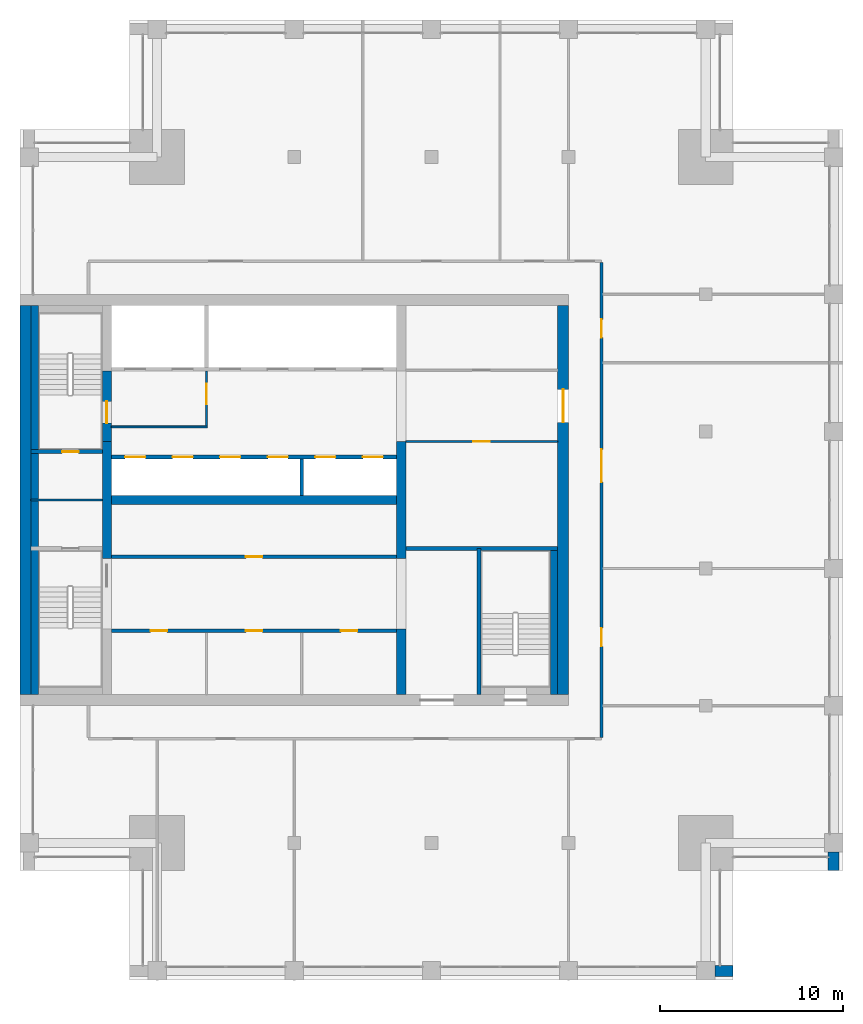
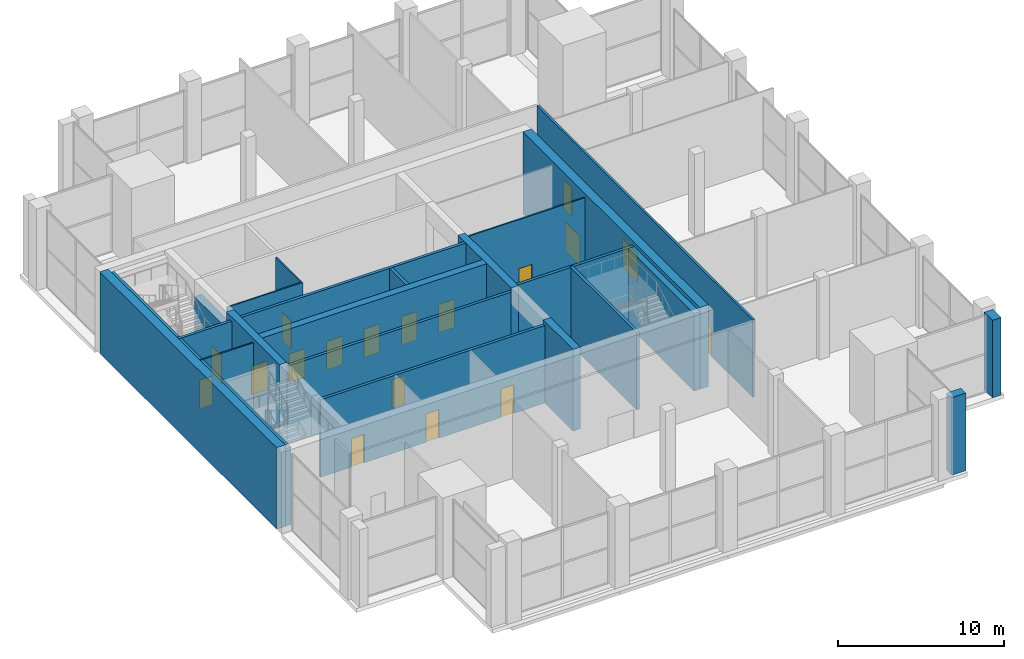
# One storey, part 9 of 15: 23 walls, 18 doors, 18 openings.
"""IFC4 building model written with IfcOpenShell, lengths in metres."""

from ifc_helpers import new_model, si_unit, direction, frame, frame_2d, origin, place, context, subcontext, project, spatial, rectangle, extrude, material, layer, layer_set, type_object, element, fill, save


model = new_model("IFC4")

# Units and contexts
model_context = context("Model", 3, precision=1e-05, world=origin(), true_north=direction((0.0, 1.0)))
body_context = subcontext(model_context, "Body", "Model", "MODEL_VIEW")
ifc_project = project(units=[si_unit("LENGTHUNIT", "METRE"), si_unit("AREAUNIT", "SQUARE_METRE"), si_unit("VOLUMEUNIT", "CUBIC_METRE"), si_unit("PLANEANGLEUNIT", "RADIAN"), si_unit("MASSUNIT", "GRAM", prefix="KILO")], contexts=[model_context])

# Site, building, storey
site_placement = place(None, origin())
site = spatial("IfcSite", under=ifc_project, at=site_placement, CompositionType="ELEMENT")
building_placement = place(site_placement, origin())
building = spatial("IfcBuilding", under=site, at=building_placement, Name="Tamorin Gate", CompositionType="ELEMENT")
storey_placement = place(building_placement, frame((0.0, 0.0, 302.699951171875)))
storey = spatial("IfcBuildingStorey", under=building, at=storey_placement, Name="L75", CompositionType="ELEMENT", Elevation=302.699951171875)

# Walls
ifc_material_1 = material(Name="Precast concrete C40/50", Category="concrete")
ifc_layer_1 = layer(ifc_material_1, 0.60009765625)
ifc_layer_set_1 = layer_set([ifc_layer_1], Name="Precast concrete C40/50")
wall_type_1 = type_object("IfcWallType", Name="Board-marked concrete facade panel 600", PredefinedType="SOLIDWALL", material=ifc_layer_set_1)
for number, where, z_axis, x_axis, name in (
    (1, (68.0, 45.5, 0.0), (0.0, 0.0, 1.0), (1.0, 0.0, 0.0), "Facade panel"),
    (2, (74.5, 51.0, 0.0), (0.0, 0.0, 1.0), (0.0, 1.0, 0.0), "Facade panel"),
):
    element("IfcWall", number, at=place(storey_placement, frame(where, z_axis=z_axis, x_axis=x_axis)), inside=storey, type_object=wall_type_1, Name=name, PredefinedType="SOLIDWALL", context=body_context, shape_type="SweptSolid", body=[
        extrude(rectangle(XDim=1.0, YDim=0.60009765625, at=frame_2d((0.5, 0.0))), origin(), (0.0, 0.0, 1.0), 5.699951171875),
    ])

# Wall, openings, doors
ifc_material_2 = material(Name="Gypsum board partition")
ifc_layer_2 = layer(ifc_material_2, 0.14990234375)
ifc_layer_set_2 = layer_set([ifc_layer_2], Name="Corridor wall 150")
wall_type_2 = type_object("IfcWallType", Name="Corridor wall 150", PredefinedType="PARTITIONING", material=ifc_layer_set_2)
wall_1_placement = place(storey_placement, frame((61.800048828125, 58.27490234375, 0.0), z_axis=(0.0, 0.0, 1.0), x_axis=(0.0, 1.0, 0.0)))
wall_1 = element("IfcWall", 3, at=wall_1_placement, inside=storey, type_object=wall_type_2, Name="Corridor wall 150", PredefinedType="PARTITIONING", context=body_context, shape_type="SweptSolid", body=[
    extrude(rectangle(XDim=25.9501953125, YDim=0.14990234375, at=frame_2d((12.97509765625, 0.0))), origin(), (0.0, 0.0, 1.0), 5.699951171875),
])
opening_1_placement = place(wall_1_placement, frame((4.97509765625, 0.0, 0.0)))
opening_1 = element("IfcOpeningElement", 4, at=opening_1_placement, cuts=wall_1, Name="Opening DOB1009", PredefinedType="OPENING", context=body_context, shape_type="SweptSolid", body=[
    extrude(rectangle(XDim=1.0, YDim=2.10009765625, at=frame_2d((0.5, 1.050048828125))), frame((0.0, 0.0849609375, 0.0), z_axis=(0.0, -1.0, 0.0), x_axis=(1.0, 0.0, 0.0)), (0.0, 0.0, 1.0), 0.169921875),
])
opening_2_placement = place(wall_1_placement, frame((13.949951171875, 0.0, 0.0)))
opening_2 = element("IfcOpeningElement", 5, at=opening_2_placement, cuts=wall_1, Name="Opening DOB1010", PredefinedType="OPENING", context=body_context, shape_type="SweptSolid", body=[
    extrude(rectangle(XDim=1.800048828125, YDim=2.10009765625, at=frame_2d((0.89990234375, 1.050048828125))), frame((0.0, 0.0849609375, 0.0), z_axis=(0.0, -1.0, 0.0), x_axis=(1.0, 0.0, 0.0)), (0.0, 0.0, 1.0), 0.169921875),
])
opening_3_placement = place(wall_1_placement, frame((21.85009765625, 0.0, 0.0)))
opening_3 = element("IfcOpeningElement", 6, at=opening_3_placement, cuts=wall_1, Name="Opening DOB1011", PredefinedType="OPENING", context=body_context, shape_type="SweptSolid", body=[
    extrude(rectangle(XDim=1.0, YDim=2.10009765625, at=frame_2d((0.5, 1.050048828125))), frame((0.0, 0.0849609375, 0.0), z_axis=(0.0, -1.0, 0.0), x_axis=(1.0, 0.0, 0.0)), (0.0, 0.0, 1.0), 0.169921875),
])
ifc_material_3 = material(Name="Timber door leaf", Category="wood")
door_type_1 = type_object("IfcDoorType", Name="Door 1000 x 2100 FD30S", OperationType="NOTDEFINED", PredefinedType="DOOR", material=ifc_material_3)
door_1_placement = place(opening_1_placement, origin())
door_1 = element("IfcDoor", 7, at=door_1_placement, inside=storey, type_object=door_type_1, Name="Door DOB1009", OperationType="SINGLE_SWING_RIGHT", OverallHeight=2.10009765625, OverallWidth=1.0, PredefinedType="DOOR", context=body_context, shape_type="SweptSolid", body=[
    extrude(rectangle(XDim=1.0, YDim=2.10009765625, at=frame_2d((0.5, 1.050048828125))), frame((0.0, 0.02490234375, 0.0), z_axis=(0.0, -1.0, 0.0), x_axis=(1.0, 0.0, 0.0)), (0.0, 0.0, 1.0), 0.050048828125),
])
fill(opening_1, door_1)
door_2_placement = place(opening_3_placement, origin())
door_2 = element("IfcDoor", 8, at=door_2_placement, inside=storey, type_object=door_type_1, Name="Door DOB1011", OperationType="SINGLE_SWING_RIGHT", OverallHeight=2.10009765625, OverallWidth=1.0, PredefinedType="DOOR", context=body_context, shape_type="SweptSolid", body=[
    extrude(rectangle(XDim=1.0, YDim=2.10009765625, at=frame_2d((0.5, 1.050048828125))), frame((0.0, 0.02490234375, 0.0), z_axis=(0.0, -1.0, 0.0), x_axis=(1.0, 0.0, 0.0)), (0.0, 0.0, 1.0), 0.050048828125),
])
fill(opening_3, door_2)
door_type_2 = type_object("IfcDoorType", Name="Door 1800 x 2100 FD30S", OperationType="DOUBLE_DOOR_SINGLE_SWING", PredefinedType="DOOR", material=ifc_material_3)
door_3_placement = place(opening_2_placement, origin())
door_3 = element("IfcDoor", 9, at=door_3_placement, inside=storey, type_object=door_type_2, Name="Door DOB1010", OperationType="DOUBLE_DOOR_SINGLE_SWING", OverallHeight=2.10009765625, OverallWidth=1.800048828125, PredefinedType="DOOR", context=body_context, shape_type="SweptSolid", body=[
    extrude(rectangle(XDim=1.800048828125, YDim=2.10009765625, at=frame_2d((0.89990234375, 1.050048828125))), frame((0.0, 0.02490234375, 0.0), z_axis=(0.0, -1.0, 0.0), x_axis=(1.0, 0.0, 0.0)), (0.0, 0.0, 1.0), 0.050048828125),
])
fill(opening_2, door_3)

ifc_material_4 = material(Name="Concrete C32/40", Category="concrete")
ifc_layer_3 = layer(ifc_material_4, 0.199951171875)
ifc_layer_set_3 = layer_set([ifc_layer_3], Name="Lift lobby face wall 200 EI 120")
wall_type_3 = type_object("IfcWallType", Name="Lift lobby face wall 200 EI 120", PredefinedType="SOLIDWALL", material=ifc_layer_set_3)
wall_2_placement = place(storey_placement, frame((35.0, 73.60009765625, 0.0), z_axis=(0.0, 0.0, 1.0), x_axis=(1.0, 0.0, 0.0)))
wall_2 = element("IfcWall", 10, at=wall_2_placement, inside=storey, type_object=wall_type_3, Name="Lift lobby face wall", PredefinedType="SOLIDWALL", context=body_context, shape_type="SweptSolid", body=[
    extrude(rectangle(XDim=15.60009765625, YDim=0.199951171875, at=frame_2d((7.800048828125, 0.0))), origin(), (0.0, 0.0, 1.0), 6.0),
])
opening_4_placement = place(wall_2_placement, frame((0.75, 0.0, 0.0)))
opening_4 = element("IfcOpeningElement", 11, at=opening_4_placement, cuts=wall_2, Name="Opening LD11", PredefinedType="OPENING", context=body_context, shape_type="SweptSolid", body=[
    extrude(rectangle(XDim=1.10009765625, YDim=2.10009765625, at=frame_2d((0.550048828125, 1.050048828125))), frame((0.0, 0.10986328125, 0.0), z_axis=(0.0, -1.0, 0.0), x_axis=(1.0, 0.0, 0.0)), (0.0, 0.0, 1.0), 0.219970703125),
])
opening_5_placement = place(wall_2_placement, frame((3.35009765625, 0.0, 0.0)))
opening_5 = element("IfcOpeningElement", 12, at=opening_5_placement, cuts=wall_2, Name="Opening LD12", PredefinedType="OPENING", context=body_context, shape_type="SweptSolid", body=[
    extrude(rectangle(XDim=1.10009765625, YDim=2.10009765625, at=frame_2d((0.550048828125, 1.050048828125))), frame((0.0, 0.10986328125, 0.0), z_axis=(0.0, -1.0, 0.0), x_axis=(1.0, 0.0, 0.0)), (0.0, 0.0, 1.0), 0.219970703125),
])
opening_6_placement = place(wall_2_placement, frame((5.949951171875, 0.0, 0.0)))
opening_6 = element("IfcOpeningElement", 13, at=opening_6_placement, cuts=wall_2, Name="Opening LD13", PredefinedType="OPENING", context=body_context, shape_type="SweptSolid", body=[
    extrude(rectangle(XDim=1.10009765625, YDim=2.10009765625, at=frame_2d((0.550048828125, 1.050048828125))), frame((0.0, 0.10986328125, 0.0), z_axis=(0.0, -1.0, 0.0), x_axis=(1.0, 0.0, 0.0)), (0.0, 0.0, 1.0), 0.219970703125),
])
opening_7_placement = place(wall_2_placement, frame((8.550048828125, 0.0, 0.0)))
opening_7 = element("IfcOpeningElement", 14, at=opening_7_placement, cuts=wall_2, Name="Opening LD14", PredefinedType="OPENING", context=body_context, shape_type="SweptSolid", body=[
    extrude(rectangle(XDim=1.10009765625, YDim=2.10009765625, at=frame_2d((0.550048828125, 1.050048828125))), frame((0.0, 0.10986328125, 0.0), z_axis=(0.0, -1.0, 0.0), x_axis=(1.0, 0.0, 0.0)), (0.0, 0.0, 1.0), 0.219970703125),
])
opening_8_placement = place(wall_2_placement, frame((11.14990234375, 0.0, 0.0)))
opening_8 = element("IfcOpeningElement", 15, at=opening_8_placement, cuts=wall_2, Name="Opening LD15", PredefinedType="OPENING", context=body_context, shape_type="SweptSolid", body=[
    extrude(rectangle(XDim=1.10009765625, YDim=2.10009765625, at=frame_2d((0.550048828125, 1.050048828125))), frame((0.0, 0.10986328125, 0.0), z_axis=(0.0, -1.0, 0.0), x_axis=(1.0, 0.0, 0.0)), (0.0, 0.0, 1.0), 0.219970703125),
])
opening_9_placement = place(wall_2_placement, frame((13.75, 0.0, 0.0)))
opening_9 = element("IfcOpeningElement", 16, at=opening_9_placement, cuts=wall_2, Name="Opening LD16", PredefinedType="OPENING", context=body_context, shape_type="SweptSolid", body=[
    extrude(rectangle(XDim=1.10009765625, YDim=2.10009765625, at=frame_2d((0.550048828125, 1.050048828125))), frame((0.0, 0.10986328125, 0.0), z_axis=(0.0, -1.0, 0.0), x_axis=(1.0, 0.0, 0.0)), (0.0, 0.0, 1.0), 0.219970703125),
])
ifc_material_5 = material(Name="Stainless steel sliding door", Category="steel")
door_type_3 = type_object("IfcDoorType", Name="Lift landing door 1100 x 2100 E 90", OperationType="DOUBLE_DOOR_SLIDING", PredefinedType="DOOR", material=ifc_material_5)
door_4_placement = place(opening_4_placement, origin())
door_4 = element("IfcDoor", 17, at=door_4_placement, inside=storey, type_object=door_type_3, Name="HR1 landing door", OperationType="DOUBLE_DOOR_SLIDING", OverallHeight=2.10009765625, OverallWidth=1.10009765625, PredefinedType="DOOR", context=body_context, shape_type="SweptSolid", body=[
    extrude(rectangle(XDim=1.10009765625, YDim=2.10009765625, at=frame_2d((0.550048828125, 1.050048828125))), frame((0.0, 0.02490234375, 0.0), z_axis=(0.0, -1.0, 0.0), x_axis=(1.0, 0.0, 0.0)), (0.0, 0.0, 1.0), 0.050048828125),
])
fill(opening_4, door_4)
door_5_placement = place(opening_5_placement, origin())
door_5 = element("IfcDoor", 18, at=door_5_placement, inside=storey, type_object=door_type_3, Name="HR2 landing door", OperationType="DOUBLE_DOOR_SLIDING", OverallHeight=2.10009765625, OverallWidth=1.10009765625, PredefinedType="DOOR", context=body_context, shape_type="SweptSolid", body=[
    extrude(rectangle(XDim=1.10009765625, YDim=2.10009765625, at=frame_2d((0.550048828125, 1.050048828125))), frame((0.0, 0.02490234375, 0.0), z_axis=(0.0, -1.0, 0.0), x_axis=(1.0, 0.0, 0.0)), (0.0, 0.0, 1.0), 0.050048828125),
])
fill(opening_5, door_5)
door_6_placement = place(opening_6_placement, origin())
door_6 = element("IfcDoor", 19, at=door_6_placement, inside=storey, type_object=door_type_3, Name="HR3 landing door", OperationType="DOUBLE_DOOR_SLIDING", OverallHeight=2.10009765625, OverallWidth=1.10009765625, PredefinedType="DOOR", context=body_context, shape_type="SweptSolid", body=[
    extrude(rectangle(XDim=1.10009765625, YDim=2.10009765625, at=frame_2d((0.550048828125, 1.050048828125))), frame((0.0, 0.02490234375, 0.0), z_axis=(0.0, -1.0, 0.0), x_axis=(1.0, 0.0, 0.0)), (0.0, 0.0, 1.0), 0.050048828125),
])
fill(opening_6, door_6)
door_7_placement = place(opening_7_placement, origin())
door_7 = element("IfcDoor", 20, at=door_7_placement, inside=storey, type_object=door_type_3, Name="HR4 landing door", OperationType="DOUBLE_DOOR_SLIDING", OverallHeight=2.10009765625, OverallWidth=1.10009765625, PredefinedType="DOOR", context=body_context, shape_type="SweptSolid", body=[
    extrude(rectangle(XDim=1.10009765625, YDim=2.10009765625, at=frame_2d((0.550048828125, 1.050048828125))), frame((0.0, 0.02490234375, 0.0), z_axis=(0.0, -1.0, 0.0), x_axis=(1.0, 0.0, 0.0)), (0.0, 0.0, 1.0), 0.050048828125),
])
fill(opening_7, door_7)
door_8_placement = place(opening_8_placement, origin())
door_8 = element("IfcDoor", 21, at=door_8_placement, inside=storey, type_object=door_type_3, Name="HR5 landing door", OperationType="DOUBLE_DOOR_SLIDING", OverallHeight=2.10009765625, OverallWidth=1.10009765625, PredefinedType="DOOR", context=body_context, shape_type="SweptSolid", body=[
    extrude(rectangle(XDim=1.10009765625, YDim=2.10009765625, at=frame_2d((0.550048828125, 1.050048828125))), frame((0.0, 0.02490234375, 0.0), z_axis=(0.0, -1.0, 0.0), x_axis=(1.0, 0.0, 0.0)), (0.0, 0.0, 1.0), 0.050048828125),
])
fill(opening_8, door_8)
door_9_placement = place(opening_9_placement, origin())
door_9 = element("IfcDoor", 22, at=door_9_placement, inside=storey, type_object=door_type_3, Name="HR6 landing door", OperationType="DOUBLE_DOOR_SLIDING", OverallHeight=2.10009765625, OverallWidth=1.10009765625, PredefinedType="DOOR", context=body_context, shape_type="SweptSolid", body=[
    extrude(rectangle(XDim=1.10009765625, YDim=2.10009765625, at=frame_2d((0.550048828125, 1.050048828125))), frame((0.0, 0.02490234375, 0.0), z_axis=(0.0, -1.0, 0.0), x_axis=(1.0, 0.0, 0.0)), (0.0, 0.0, 1.0), 0.050048828125),
])
fill(opening_9, door_9)

# Walls
ifc_layer_4 = layer(ifc_material_4, 0.199951171875)
ifc_layer_set_4 = layer_set([ifc_layer_4], Name="Lift shaft wall 200 EI 120")
wall_type_4 = type_object("IfcWallType", Name="Lift shaft wall 200 EI 120", PredefinedType="SOLIDWALL", material=ifc_layer_set_4)
wall_3_placement = place(storey_placement, frame((45.39990234375, 71.5, 0.0), z_axis=(0.0, 0.0, 1.0), x_axis=(0.0, 1.0, 0.0)))
element("IfcWall", 23, at=wall_3_placement, inside=storey, type_object=wall_type_4, Name="Lift shaft wall", PredefinedType="SOLIDWALL", context=body_context, shape_type="SweptSolid", body=[
    extrude(rectangle(XDim=2.0, YDim=0.199951171875, at=frame_2d((1.0, 0.0))), origin(), (0.0, 0.0, 1.0), 6.0),
])
ifc_material_6 = material(Name="Fire-rated gypsum board partition")
ifc_layer_5 = layer(ifc_material_6, 0.10009765625)
ifc_layer_set_5 = layer_set([ifc_layer_5], Name="Lobby wall 100 EI 60")
wall_type_5 = type_object("IfcWallType", Name="Lobby wall 100 EI 60", PredefinedType="PARTITIONING", material=ifc_layer_set_5)
wall_4_placement = place(storey_placement, frame((35.0, 75.25, 0.0), z_axis=(0.0, 0.0, 1.0), x_axis=(1.0, 0.0, 0.0)))
element("IfcWall", 24, at=wall_4_placement, inside=storey, type_object=wall_type_5, Name="Firefighting lobby wall", PredefinedType="PARTITIONING", context=body_context, shape_type="SweptSolid", body=[
    extrude(rectangle(XDim=5.25, YDim=0.10009765625, at=frame_2d((2.625, 0.0))), origin(), (0.0, 0.0, 1.0), 5.699951171875),
])

# Wall, opening, door
wall_5_placement = place(storey_placement, frame((40.199951171875, 75.300048828125, 0.0), z_axis=(0.0, 0.0, 1.0), x_axis=(0.0, 1.0, 0.0)))
wall_5 = element("IfcWall", 25, at=wall_5_placement, inside=storey, type_object=wall_type_5, Name="Firefighting lobby wall", PredefinedType="PARTITIONING", context=body_context, shape_type="SweptSolid", body=[
    extrude(rectangle(XDim=3.0, YDim=0.10009765625, at=frame_2d((1.5, 0.0))), origin(), (0.0, 0.0, 1.0), 5.699951171875),
])
opening_10_placement = place(wall_5_placement, frame((1.199951171875, 0.0, 0.0)))
opening_10 = element("IfcOpeningElement", 26, at=opening_10_placement, cuts=wall_5, Name="Opening DF1", PredefinedType="OPENING", context=body_context, shape_type="SweptSolid", body=[
    extrude(rectangle(XDim=1.10009765625, YDim=2.10009765625, at=frame_2d((0.550048828125, 1.050048828125))), frame((0.0, 0.06005859375, 0.0), z_axis=(0.0, -1.0, 0.0), x_axis=(1.0, 0.0, 0.0)), (0.0, 0.0, 1.0), 0.1201171875),
])
ifc_material_7 = material(Name="Steel fire door", Category="steel")
door_type_4 = type_object("IfcDoorType", Name="Firefighting lobby door 1100 x 2100 EI 90", OperationType="SINGLE_SWING_LEFT", PredefinedType="DOOR", material=ifc_material_7)
door_10_placement = place(opening_10_placement, origin())
door_10 = element("IfcDoor", 27, at=door_10_placement, inside=storey, type_object=door_type_4, Name="Firefighting lobby door", OperationType="SINGLE_SWING_LEFT", OverallHeight=2.10009765625, OverallWidth=1.10009765625, PredefinedType="DOOR", context=body_context, shape_type="SweptSolid", body=[
    extrude(rectangle(XDim=1.10009765625, YDim=2.10009765625, at=frame_2d((0.550048828125, 1.050048828125))), frame((0.0, 0.02490234375, 0.0), z_axis=(0.0, -1.0, 0.0), x_axis=(1.0, 0.0, 0.0)), (0.0, 0.0, 1.0), 0.050048828125),
])
fill(opening_10, door_10)

# Walls
ifc_material_8 = material(Name="Concrete C50/60", Category="concrete")
ifc_layer_6 = layer(ifc_material_8, 0.5)
ifc_layer_set_6 = layer_set([ifc_layer_6], Name="RC core internal wall 500 C50/60")
wall_type_6 = type_object("IfcWallType", Name="RC core internal wall 500 C50/60", PredefinedType="SHEAR", material=ifc_layer_set_6)
wall_6_placement = place(storey_placement, frame((35.0, 71.25, 0.0), z_axis=(0.0, 0.0, 1.0), x_axis=(1.0, 0.0, 0.0)))
element("IfcWall", 28, at=wall_6_placement, inside=storey, type_object=wall_type_6, Name="Core spine wall L75", PredefinedType="SHEAR", context=body_context, shape_type="SweptSolid", body=[
    extrude(rectangle(XDim=15.60009765625, YDim=0.5, at=frame_2d((7.800048828125, 0.0))), origin(), (0.0, 0.0, 1.0), 6.0),
])
wall_7_placement = place(storey_placement, frame((34.75, 68.050048828125, 0.0), z_axis=(0.0, 0.0, 1.0), x_axis=(0.0, 1.0, 0.0)))
element("IfcWall", 29, at=wall_7_placement, inside=storey, type_object=wall_type_6, Name="Core cross wall L75", PredefinedType="SHEAR", context=body_context, shape_type="SweptSolid", body=[
    extrude(rectangle(XDim=6.39990234375, YDim=0.5, at=frame_2d((3.199951171875, 0.0))), origin(), (0.0, 0.0, 1.0), 6.0),
])
wall_8_placement = place(storey_placement, frame((50.85009765625, 60.60009765625, 0.0), z_axis=(0.0, 0.0, 1.0), x_axis=(0.0, 1.0, 0.0)))
element("IfcWall", 30, at=wall_8_placement, inside=storey, type_object=wall_type_6, Name="Core cross wall L75", PredefinedType="SHEAR", context=body_context, shape_type="SweptSolid", body=[
    extrude(rectangle(XDim=3.599853515625, YDim=0.5, at=frame_2d((1.7998046875, 0.0))), origin(), (0.0, 0.0, 1.0), 6.0),
])
wall_9_placement = place(storey_placement, frame((50.85009765625, 68.050048828125, 0.0), z_axis=(0.0, 0.0, 1.0), x_axis=(0.0, 1.0, 0.0)))
element("IfcWall", 31, at=wall_9_placement, inside=storey, type_object=wall_type_6, Name="Core cross wall L75", PredefinedType="SHEAR", context=body_context, shape_type="SweptSolid", body=[
    extrude(rectangle(XDim=6.39990234375, YDim=0.5, at=frame_2d((3.199951171875, 0.0))), origin(), (0.0, 0.0, 1.0), 6.0),
])
ifc_layer_7 = layer(ifc_material_8, 0.60009765625)
ifc_layer_set_7 = layer_set([ifc_layer_7], Name="RC core wall 600 C50/60")
wall_type_7 = type_object("IfcWallType", Name="RC core wall 600 C50/60", PredefinedType="SHEAR", material=ifc_layer_set_7)
wall_10_placement = place(storey_placement, frame((30.300048828125, 60.60009765625, 0.0), z_axis=(0.0, 0.0, 1.0), x_axis=(0.0, 1.0, 0.0)))
element("IfcWall", 32, at=wall_10_placement, inside=storey, type_object=wall_type_7, Name="Core wall L75", PredefinedType="SHEAR", context=body_context, shape_type="SweptSolid", body=[
    extrude(rectangle(XDim=21.2998046875, YDim=0.60009765625, at=frame_2d((10.64990234375, 0.0))), origin(), (0.0, 0.0, 1.0), 6.0),
])

# Wall, opening, door
wall_11_placement = place(storey_placement, frame((59.699951171875, 60.60009765625, 0.0), z_axis=(0.0, 0.0, 1.0), x_axis=(0.0, 1.0, 0.0)))
wall_11 = element("IfcWall", 33, at=wall_11_placement, inside=storey, type_object=wall_type_7, Name="Core wall L75", PredefinedType="SHEAR", context=body_context, shape_type="SweptSolid", body=[
    extrude(rectangle(XDim=21.2998046875, YDim=0.60009765625, at=frame_2d((10.64990234375, 0.0))), origin(), (0.0, 0.0, 1.0), 6.0),
])
opening_11_placement = place(wall_11_placement, frame((14.89990234375, 0.0, 0.0)))
opening_11 = element("IfcOpeningElement", 34, at=opening_11_placement, cuts=wall_11, Name="Opening DE1", PredefinedType="OPENING", context=body_context, shape_type="SweptSolid", body=[
    extrude(rectangle(XDim=1.800048828125, YDim=2.10009765625, at=frame_2d((0.89990234375, 1.050048828125))), frame((0.0, 0.31005859375, 0.0), z_axis=(0.0, -1.0, 0.0), x_axis=(1.0, 0.0, 0.0)), (0.0, 0.0, 1.0), 0.6201171875),
])
door_type_5 = type_object("IfcDoorType", Name="Lobby exit double door 1800 x 2100 EI 60", OperationType="DOUBLE_DOOR_SINGLE_SWING", PredefinedType="DOOR", material=ifc_material_7)
door_11_placement = place(opening_11_placement, origin())
door_11 = element("IfcDoor", 35, at=door_11_placement, inside=storey, type_object=door_type_5, Name="Lift lobby B exit door", OperationType="DOUBLE_DOOR_SINGLE_SWING", OverallHeight=2.10009765625, OverallWidth=1.800048828125, PredefinedType="DOOR", context=body_context, shape_type="SweptSolid", body=[
    extrude(rectangle(XDim=1.800048828125, YDim=2.10009765625, at=frame_2d((0.89990234375, 1.050048828125))), frame((0.0, 0.02490234375, 0.0), z_axis=(0.0, -1.0, 0.0), x_axis=(1.0, 0.0, 0.0)), (0.0, 0.0, 1.0), 0.050048828125),
])
fill(opening_11, door_11)

# Wall
ifc_layer_8 = layer(ifc_material_6, 0.10009765625)
ifc_layer_set_8 = layer_set([ifc_layer_8], Name="Riser partition 100 EI 120")
wall_type_8 = type_object("IfcWallType", Name="Riser partition 100 EI 120", PredefinedType="PARTITIONING", material=ifc_layer_set_8)
wall_12_placement = place(storey_placement, frame((30.60009765625, 71.25, 0.0), z_axis=(0.0, 0.0, 1.0), x_axis=(1.0, 0.0, 0.0)))
element("IfcWall", 36, at=wall_12_placement, inside=storey, type_object=wall_type_8, Name="Riser partition", PredefinedType="PARTITIONING", context=body_context, shape_type="SweptSolid", body=[
    extrude(rectangle(XDim=3.89990234375, YDim=0.10009765625, at=frame_2d((1.949951171875, 0.0))), origin(), (0.0, 0.0, 1.0), 5.699951171875),
])

# Wall, openings, doors
ifc_layer_9 = layer(ifc_material_2, 0.199951171875)
ifc_layer_set_9 = layer_set([ifc_layer_9], Name="Service room face wall 200 EI 60")
wall_type_9 = type_object("IfcWallType", Name="Service room face wall 200 EI 60", PredefinedType="PARTITIONING", material=ifc_layer_set_9)
wall_13_placement = place(storey_placement, frame((35.0, 64.10009765625, 0.0), z_axis=(0.0, 0.0, 1.0), x_axis=(1.0, 0.0, 0.0)))
wall_13 = element("IfcWall", 37, at=wall_13_placement, inside=storey, type_object=wall_type_9, Name="Service room face wall", PredefinedType="PARTITIONING", context=body_context, shape_type="SweptSolid", body=[
    extrude(rectangle(XDim=15.60009765625, YDim=0.199951171875, at=frame_2d((7.800048828125, 0.0))), origin(), (0.0, 0.0, 1.0), 5.699951171875),
])
opening_12_placement = place(wall_13_placement, frame((2.14990234375, 0.0, 0.0)))
opening_12 = element("IfcOpeningElement", 38, at=opening_12_placement, cuts=wall_13, Name="Opening DK1", PredefinedType="OPENING", context=body_context, shape_type="SweptSolid", body=[
    extrude(rectangle(XDim=0.89990234375, YDim=2.10009765625, at=frame_2d((0.449951171875, 1.050048828125))), frame((0.0, 0.10986328125, 0.0), z_axis=(0.0, -1.0, 0.0), x_axis=(1.0, 0.0, 0.0)), (0.0, 0.0, 1.0), 0.219970703125),
])
opening_13_placement = place(wall_13_placement, frame((7.35009765625, 0.0, 0.0)))
opening_13 = element("IfcOpeningElement", 39, at=opening_13_placement, cuts=wall_13, Name="Opening DK1", PredefinedType="OPENING", context=body_context, shape_type="SweptSolid", body=[
    extrude(rectangle(XDim=0.89990234375, YDim=2.10009765625, at=frame_2d((0.449951171875, 1.050048828125))), frame((0.0, 0.10986328125, 0.0), z_axis=(0.0, -1.0, 0.0), x_axis=(1.0, 0.0, 0.0)), (0.0, 0.0, 1.0), 0.219970703125),
])
opening_14_placement = place(wall_13_placement, frame((12.550048828125, 0.0, 0.0)))
opening_14 = element("IfcOpeningElement", 40, at=opening_14_placement, cuts=wall_13, Name="Opening DK1", PredefinedType="OPENING", context=body_context, shape_type="SweptSolid", body=[
    extrude(rectangle(XDim=0.89990234375, YDim=2.10009765625, at=frame_2d((0.449951171875, 1.050048828125))), frame((0.0, 0.10986328125, 0.0), z_axis=(0.0, -1.0, 0.0), x_axis=(1.0, 0.0, 0.0)), (0.0, 0.0, 1.0), 0.219970703125),
])
ifc_material_9 = material(Name="Timber fire door", Category="wood")
door_type_6 = type_object("IfcDoorType", Name="Service room door 900 x 2100 EI 60", OperationType="SINGLE_SWING_LEFT", PredefinedType="DOOR", material=ifc_material_9)
door_12_placement = place(opening_12_placement, origin())
door_12 = element("IfcDoor", 41, at=door_12_placement, inside=storey, type_object=door_type_6, Name="Door Linen store", OperationType="SINGLE_SWING_LEFT", OverallHeight=2.10009765625, OverallWidth=0.89990234375, PredefinedType="DOOR", context=body_context, shape_type="SweptSolid", body=[
    extrude(rectangle(XDim=0.89990234375, YDim=2.10009765625, at=frame_2d((0.449951171875, 1.050048828125))), frame((0.0, 0.02490234375, 0.0), z_axis=(0.0, -1.0, 0.0), x_axis=(1.0, 0.0, 0.0)), (0.0, 0.0, 1.0), 0.050048828125),
])
fill(opening_12, door_12)
door_13_placement = place(opening_13_placement, origin())
door_13 = element("IfcDoor", 42, at=door_13_placement, inside=storey, type_object=door_type_6, Name="Door Club store", OperationType="SINGLE_SWING_RIGHT", OverallHeight=2.10009765625, OverallWidth=0.89990234375, PredefinedType="DOOR", context=body_context, shape_type="SweptSolid", body=[
    extrude(rectangle(XDim=0.89990234375, YDim=2.10009765625, at=frame_2d((0.449951171875, 1.050048828125))), frame((0.0, 0.02490234375, 0.0), z_axis=(0.0, -1.0, 0.0), x_axis=(1.0, 0.0, 0.0)), (0.0, 0.0, 1.0), 0.050048828125),
])
fill(opening_13, door_13)
door_14_placement = place(opening_14_placement, origin())
door_14 = element("IfcDoor", 43, at=door_14_placement, inside=storey, type_object=door_type_6, Name="Door Wine store", OperationType="SINGLE_SWING_LEFT", OverallHeight=2.10009765625, OverallWidth=0.89990234375, PredefinedType="DOOR", context=body_context, shape_type="SweptSolid", body=[
    extrude(rectangle(XDim=0.89990234375, YDim=2.10009765625, at=frame_2d((0.449951171875, 1.050048828125))), frame((0.0, 0.02490234375, 0.0), z_axis=(0.0, -1.0, 0.0), x_axis=(1.0, 0.0, 0.0)), (0.0, 0.0, 1.0), 0.050048828125),
])
fill(opening_14, door_14)

# Wall, opening, door
wall_14_placement = place(storey_placement, frame((35.0, 68.14990234375, 0.0), z_axis=(0.0, 0.0, 1.0), x_axis=(1.0, 0.0, 0.0)))
wall_14 = element("IfcWall", 44, at=wall_14_placement, inside=storey, type_object=wall_type_9, Name="Service room face wall", PredefinedType="PARTITIONING", context=body_context, shape_type="SweptSolid", body=[
    extrude(rectangle(XDim=15.60009765625, YDim=0.199951171875, at=frame_2d((7.800048828125, 0.0))), origin(), (0.0, 0.0, 1.0), 5.699951171875),
])
opening_15_placement = place(wall_14_placement, frame((7.35009765625, 0.0, 0.0)))
opening_15 = element("IfcOpeningElement", 45, at=opening_15_placement, cuts=wall_14, Name="Opening DK1", PredefinedType="OPENING", context=body_context, shape_type="SweptSolid", body=[
    extrude(rectangle(XDim=0.89990234375, YDim=2.10009765625, at=frame_2d((0.449951171875, 1.050048828125))), frame((0.0, 0.10986328125, 0.0), z_axis=(0.0, -1.0, 0.0), x_axis=(1.0, 0.0, 0.0)), (0.0, 0.0, 1.0), 0.219970703125),
])
door_15_placement = place(opening_15_placement, origin())
door_15 = element("IfcDoor", 46, at=door_15_placement, inside=storey, type_object=door_type_6, Name="Door Housekeeping and maintenance store", OperationType="SINGLE_SWING_LEFT", OverallHeight=2.10009765625, OverallWidth=0.89990234375, PredefinedType="DOOR", context=body_context, shape_type="SweptSolid", body=[
    extrude(rectangle(XDim=0.89990234375, YDim=2.10009765625, at=frame_2d((0.449951171875, 1.050048828125))), frame((0.0, 0.02490234375, 0.0), z_axis=(0.0, -1.0, 0.0), x_axis=(1.0, 0.0, 0.0)), (0.0, 0.0, 1.0), 0.050048828125),
])
fill(opening_15, door_15)

ifc_layer_10 = layer(ifc_material_2, 0.10009765625)
ifc_layer_set_10 = layer_set([ifc_layer_10], Name="Service room partition 100 EI 60")
wall_type_10 = type_object("IfcWallType", Name="Service room partition 100 EI 60", PredefinedType="PARTITIONING", material=ifc_layer_set_10)
wall_15_placement = place(storey_placement, frame((51.10009765625, 74.449951171875, 0.0), z_axis=(0.0, 0.0, 1.0), x_axis=(1.0, 0.0, 0.0)))
wall_15 = element("IfcWall", 47, at=wall_15_placement, inside=storey, type_object=wall_type_10, Name="Service room wall", PredefinedType="PARTITIONING", context=body_context, shape_type="SweptSolid", body=[
    extrude(rectangle(XDim=8.2998046875, YDim=0.10009765625, at=frame_2d((4.14990234375, 0.0))), origin(), (0.0, 0.0, 1.0), 5.699951171875),
])
opening_16_placement = place(wall_15_placement, frame((3.699951171875, 0.0, 0.0)))
opening_16 = element("IfcOpeningElement", 48, at=opening_16_placement, cuts=wall_15, Name="Opening DR1", PredefinedType="OPENING", context=body_context, shape_type="SweptSolid", body=[
    extrude(rectangle(XDim=0.89990234375, YDim=2.10009765625, at=frame_2d((0.449951171875, 1.050048828125))), frame((0.0, 0.06005859375, 0.0), z_axis=(0.0, -1.0, 0.0), x_axis=(1.0, 0.0, 0.0)), (0.0, 0.0, 1.0), 0.1201171875),
])
door_type_7 = type_object("IfcDoorType", Name="Riser access door 900 x 2100 EI 120", OperationType="SINGLE_SWING_LEFT", PredefinedType="DOOR", material=ifc_material_7)
door_16_placement = place(opening_16_placement, origin())
door_16 = element("IfcDoor", 49, at=door_16_placement, inside=storey, type_object=door_type_7, Name="Duct riser door", OperationType="SINGLE_SWING_LEFT", OverallHeight=2.10009765625, OverallWidth=0.89990234375, PredefinedType="DOOR", context=body_context, shape_type="SweptSolid", body=[
    extrude(rectangle(XDim=0.89990234375, YDim=2.10009765625, at=frame_2d((0.449951171875, 1.050048828125))), frame((0.0, 0.02490234375, 0.0), z_axis=(0.0, -1.0, 0.0), x_axis=(1.0, 0.0, 0.0)), (0.0, 0.0, 1.0), 0.050048828125),
])
fill(opening_16, door_16)

ifc_material_10 = material(Name="Concrete C40/50", Category="concrete")
ifc_layer_11 = layer(ifc_material_10, 0.199951171875)
ifc_layer_set_11 = layer_set([ifc_layer_11], Name="Stair enclosure wall 200 EI 120 C40/50")
wall_type_11 = type_object("IfcWallType", Name="Stair enclosure wall 200 EI 120 C40/50", PredefinedType="SOLIDWALL", material=ifc_layer_set_11)
wall_16_placement = place(storey_placement, frame((30.60009765625, 73.89990234375, 0.0), z_axis=(0.0, 0.0, 1.0), x_axis=(1.0, 0.0, 0.0)))
wall_16 = element("IfcWall", 50, at=wall_16_placement, inside=storey, type_object=wall_type_11, Name="Stair enclosure wall", PredefinedType="SOLIDWALL", context=body_context, shape_type="SweptSolid", body=[
    extrude(rectangle(XDim=3.89990234375, YDim=0.199951171875, at=frame_2d((1.949951171875, 0.0))), origin(), (0.0, 0.0, 1.0), 5.699951171875),
])
opening_17_placement = place(wall_16_placement, frame((1.699951171875, 0.0, 0.0)))
opening_17 = element("IfcOpeningElement", 51, at=opening_17_placement, cuts=wall_16, Name="Opening DR1", PredefinedType="OPENING", context=body_context, shape_type="SweptSolid", body=[
    extrude(rectangle(XDim=0.89990234375, YDim=2.10009765625, at=frame_2d((0.449951171875, 1.050048828125))), frame((0.0, 0.10986328125, 0.0), z_axis=(0.0, -1.0, 0.0), x_axis=(1.0, 0.0, 0.0)), (0.0, 0.0, 1.0), 0.219970703125),
])
door_17_placement = place(opening_17_placement, origin())
door_17 = element("IfcDoor", 52, at=door_17_placement, inside=storey, type_object=door_type_7, Name="Communications riser door", OperationType="SINGLE_SWING_RIGHT", OverallHeight=2.10009765625, OverallWidth=0.89990234375, PredefinedType="DOOR", context=body_context, shape_type="SweptSolid", body=[
    extrude(rectangle(XDim=0.89990234375, YDim=2.10009765625, at=frame_2d((0.449951171875, 1.050048828125))), frame((0.0, 0.02490234375, 0.0), z_axis=(0.0, -1.0, 0.0), x_axis=(1.0, 0.0, 0.0)), (0.0, 0.0, 1.0), 0.050048828125),
])
fill(opening_17, door_17)

# Walls
wall_17_placement = place(storey_placement, frame((55.10009765625, 60.60009765625, 0.0), z_axis=(0.0, 0.0, 1.0), x_axis=(0.0, 1.0, 0.0)))
element("IfcWall", 53, at=wall_17_placement, inside=storey, type_object=wall_type_11, Name="Stair enclosure wall", PredefinedType="SOLIDWALL", context=body_context, shape_type="SweptSolid", body=[
    extrude(rectangle(XDim=8.0, YDim=0.199951171875, at=frame_2d((4.0, 0.0))), origin(), (0.0, 0.0, 1.0), 5.699951171875),
])
wall_18_placement = place(storey_placement, frame((51.10009765625, 68.60009765625, 0.0), z_axis=(0.0, 0.0, 1.0), x_axis=(1.0, 0.0, 0.0)))
element("IfcWall", 54, at=wall_18_placement, inside=storey, type_object=wall_type_11, Name="Stair enclosure wall", PredefinedType="SOLIDWALL", context=body_context, shape_type="SweptSolid", body=[
    extrude(rectangle(XDim=8.2998046875, YDim=0.199951171875, at=frame_2d((4.14990234375, 0.0))), origin(), (0.0, 0.0, 1.0), 5.699951171875),
])
ifc_layer_12 = layer(ifc_material_8, 0.39990234375)
ifc_layer_set_12 = layer_set([ifc_layer_12], Name="Stair lining wall 400 EI 120 C50/60")
wall_type_12 = type_object("IfcWallType", Name="Stair lining wall 400 EI 120 C50/60", PredefinedType="SOLIDWALL", material=ifc_layer_set_12)
wall_19_placement = place(storey_placement, frame((30.800048828125, 60.60009765625, 0.0), z_axis=(0.0, 0.0, 1.0), x_axis=(0.0, 1.0, 0.0)))
element("IfcWall", 55, at=wall_19_placement, inside=storey, type_object=wall_type_12, Name="Stair lining wall", PredefinedType="SOLIDWALL", context=body_context, shape_type="SweptSolid", body=[
    extrude(rectangle(XDim=21.2998046875, YDim=0.39990234375, at=frame_2d((10.64990234375, 0.0))), origin(), (0.0, 0.0, 1.0), 5.699951171875),
])
wall_20_placement = place(storey_placement, frame((59.199951171875, 60.60009765625, 0.0), z_axis=(0.0, 0.0, 1.0), x_axis=(0.0, 1.0, 0.0)))
element("IfcWall", 56, at=wall_20_placement, inside=storey, type_object=wall_type_12, Name="Stair lining wall", PredefinedType="SOLIDWALL", context=body_context, shape_type="SweptSolid", body=[
    extrude(rectangle(XDim=7.89990234375, YDim=0.39990234375, at=frame_2d((3.949951171875, 0.0))), origin(), (0.0, 0.0, 1.0), 5.699951171875),
])

# Wall, opening, door
ifc_layer_13 = layer(ifc_material_4, 0.5)
ifc_layer_set_13 = layer_set([ifc_layer_13], Name="Stair lobby infill wall 500 EI 120")
wall_type_13 = type_object("IfcWallType", Name="Stair lobby infill wall 500 EI 120", PredefinedType="SOLIDWALL", material=ifc_layer_set_13)
wall_21_placement = place(storey_placement, frame((34.75, 74.449951171875, 0.0), z_axis=(0.0, 0.0, 1.0), x_axis=(0.0, 1.0, 0.0)))
wall_21 = element("IfcWall", 57, at=wall_21_placement, inside=storey, type_object=wall_type_13, Name="Stair lobby infill wall", PredefinedType="SOLIDWALL", context=body_context, shape_type="SweptSolid", body=[
    extrude(rectangle(XDim=3.85009765625, YDim=0.5, at=frame_2d((1.925048828125, 0.0))), origin(), (0.0, 0.0, 1.0), 4.800048828125),
])
opening_18_placement = place(wall_21_placement, frame((1.0, 0.0, 0.0)))
opening_18 = element("IfcOpeningElement", 58, at=opening_18_placement, cuts=wall_21, Name="Opening DS1", PredefinedType="OPENING", context=body_context, shape_type="SweptSolid", body=[
    extrude(rectangle(XDim=1.199951171875, YDim=2.10009765625, at=frame_2d((0.60009765625, 1.050048828125))), frame((0.0, 0.260009765625, 0.0), z_axis=(0.0, -1.0, 0.0), x_axis=(1.0, 0.0, 0.0)), (0.0, 0.0, 1.0), 0.52001953125),
])
door_type_8 = type_object("IfcDoorType", Name="Stair door 1200 x 2100 EI 90", OperationType="SINGLE_SWING_LEFT", PredefinedType="DOOR", material=ifc_material_7)
door_18_placement = place(opening_18_placement, origin())
door_18 = element("IfcDoor", 59, at=door_18_placement, inside=storey, type_object=door_type_8, Name="ST2 door", OperationType="SINGLE_SWING_RIGHT", OverallHeight=2.10009765625, OverallWidth=1.199951171875, PredefinedType="DOOR", context=body_context, shape_type="SweptSolid", body=[
    extrude(rectangle(XDim=1.199951171875, YDim=2.10009765625, at=frame_2d((0.60009765625, 1.050048828125))), frame((0.0, 0.02490234375, 0.0), z_axis=(0.0, -1.0, 0.0), x_axis=(1.0, 0.0, 0.0)), (0.0, 0.0, 1.0), 0.050048828125),
])
fill(opening_18, door_18)

save(model, "model.ifc")
